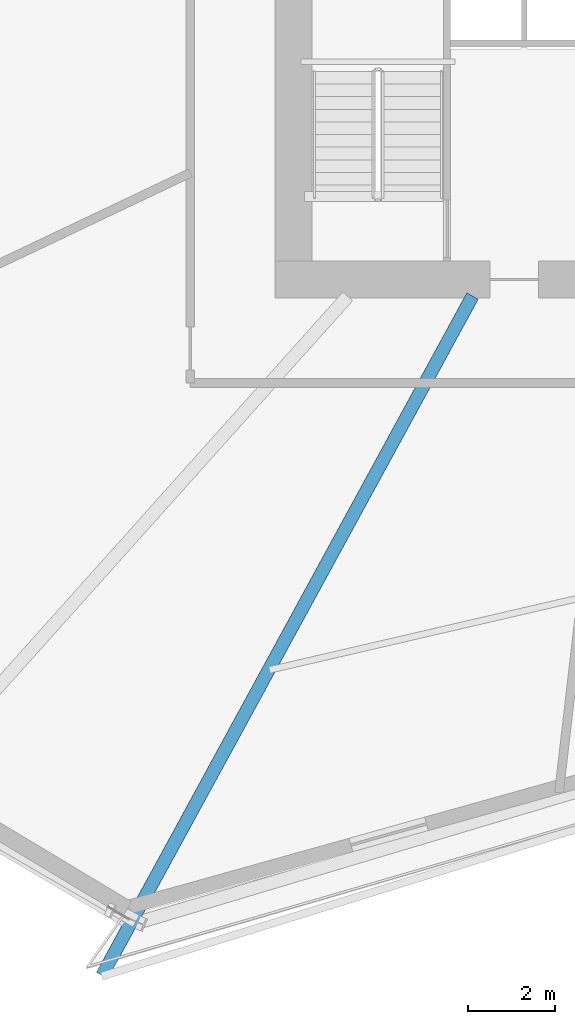
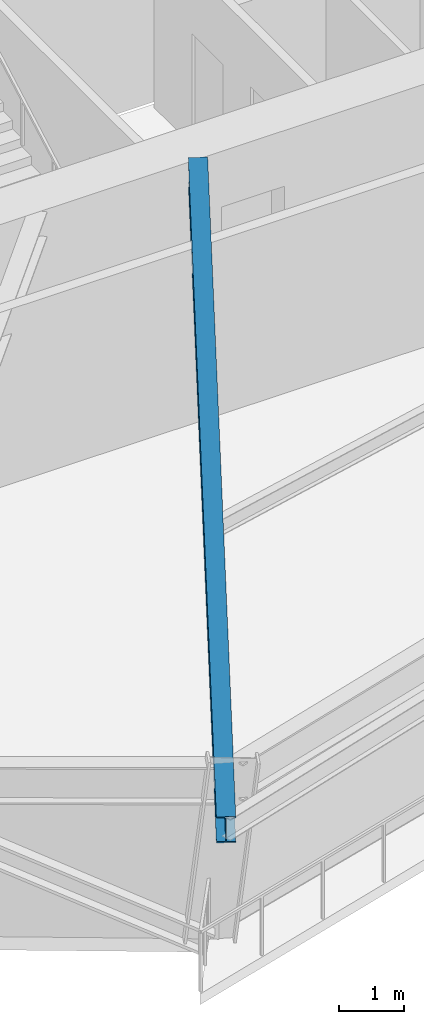
# One storey, part 3 of 21: 1 beam.
"""IFC4 building model written with IfcOpenShell, lengths in metres."""

from ifc_helpers import new_model, si_unit, direction, frame, origin, origin_2d, place, context, subcontext, project, spatial, i_section, extrude, source, transform, mapped, material, material_profile, profile_set, type_object, element, save


model = new_model("IFC4")

# Units and contexts
model_context = context("Model", 3, precision=1e-05, world=origin(), true_north=direction((0.0, 1.0)))
body_context = subcontext(model_context, "Body", "Model", "MODEL_VIEW")
ifc_project = project(units=[si_unit("LENGTHUNIT", "METRE"), si_unit("AREAUNIT", "SQUARE_METRE"), si_unit("VOLUMEUNIT", "CUBIC_METRE"), si_unit("PLANEANGLEUNIT", "RADIAN"), si_unit("MASSUNIT", "GRAM", prefix="KILO")], contexts=[model_context])

# Site, building, storey
site_placement = place(None, origin())
site = spatial("IfcSite", under=ifc_project, at=site_placement, CompositionType="ELEMENT")
building_placement = place(site_placement, origin())
building = spatial("IfcBuilding", under=site, at=building_placement, Name="Olszyna Solenne Hotel", CompositionType="ELEMENT")
storey_placement = place(building_placement, frame((0.0, 0.0, 47.050048828125)))
storey = spatial("IfcBuildingStorey", under=building, at=storey_placement, Name="L11", CompositionType="ELEMENT", Elevation=47.050048828125)

# Beam
ifc_material = material(Name="Steel S355J2", Category="steel")
ifc_material_profile = material_profile(ifc_material, i_section(OverallWidth=0.300048828125, OverallDepth=0.489990234375, WebThickness=0.011962890625, FlangeThickness=0.02294921875, at=origin_2d()), Name="HEA 500", Category="load-bearing")
ifc_profile_set = profile_set([ifc_material_profile], Name="Steel S355J2")
beam_type = type_object("IfcBeamType", Name="BM-G1", PredefinedType="BEAM", material=ifc_profile_set)
shared_shape = source(origin(), body_context, "Body", "SweptSolid", [
    extrude(i_section(OverallWidth=0.300048828125, OverallDepth=0.489990234375, WebThickness=0.011962890625, FlangeThickness=0.02294921875, at=origin_2d()), origin(), (0.0, 0.0, 1.0), 17.764892578125),
])
beam_placement = place(storey_placement, frame((25.2783203125, 3.0966796875, 3.054931640625), z_axis=(0.478667246633, 0.877996393501, 0.0), x_axis=(-0.877996393501, 0.478667246633, 0.0)))
element("IfcBeam", 1, at=beam_placement, inside=storey, type_object=beam_type, Name="Radial floor girder BM-G1 B-L11-0366", PredefinedType="BEAM", context=body_context, shape_type="MappedRepresentation", body=[
    mapped(shared_shape, transform((0.0, 0.0, 0.0), x_axis=(1.0, 0.0, 0.0), y_axis=(0.0, 1.0, 0.0), z_axis=(0.0, 0.0, 1.0), scale=1.0)),
])

save(model, "model.ifc")
